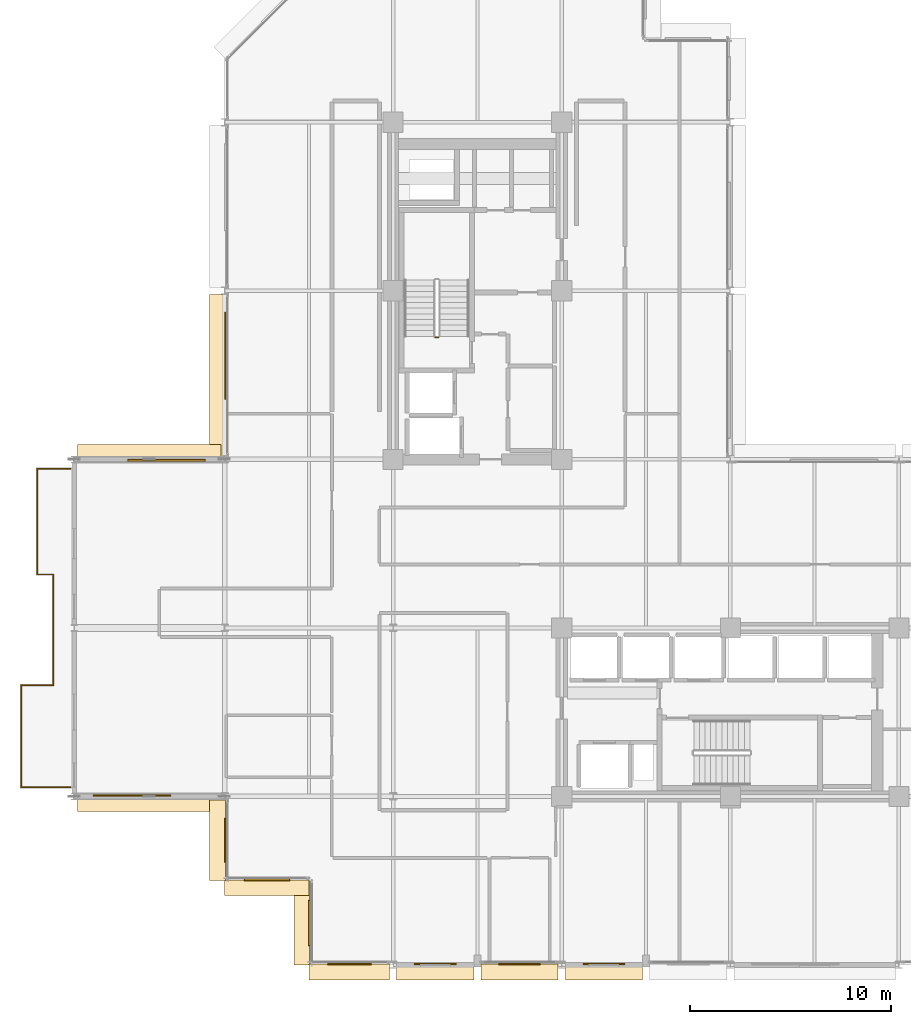
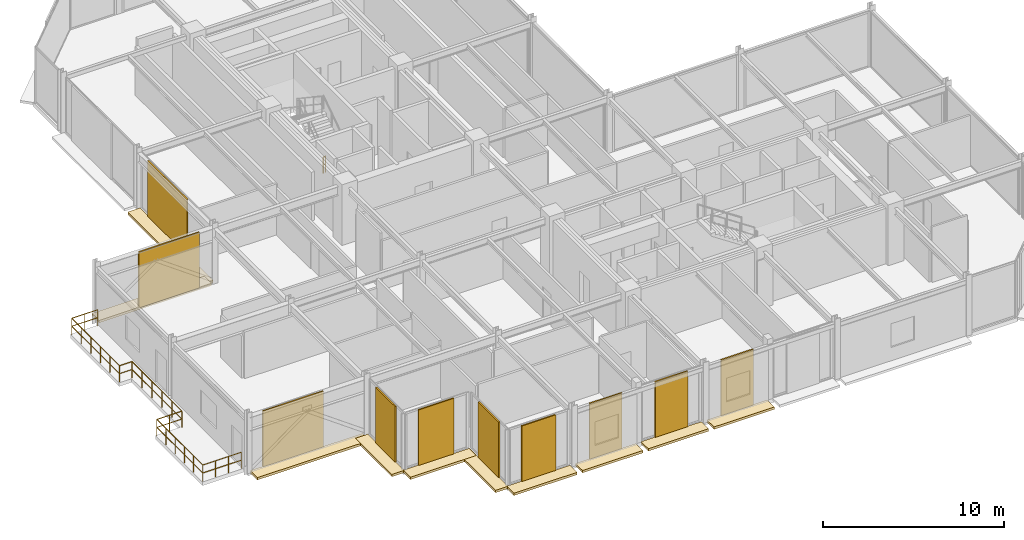
# One storey, part 28 of 30: 20 coverings, 8 railings.
"""IFC4 building model written with IfcOpenShell, lengths in metres."""

from ifc_helpers import new_model, si_unit, direction, frame, origin, origin_2d, place, context, subcontext, project, spatial, polyline, rectangle, circle, outline, extrude, material, layer, layer_set, type_object, element, save


model = new_model("IFC4")

# Units and contexts
model_context = context("Model", 3, precision=1e-05, world=origin(), true_north=direction((0.0, 1.0)))
body_context = subcontext(model_context, "Body", "Model", "MODEL_VIEW")
ifc_project = project(units=[si_unit("LENGTHUNIT", "METRE"), si_unit("AREAUNIT", "SQUARE_METRE"), si_unit("VOLUMEUNIT", "CUBIC_METRE"), si_unit("PLANEANGLEUNIT", "RADIAN"), si_unit("MASSUNIT", "GRAM", prefix="KILO")], contexts=[model_context])

# Site, building, storey
site_placement = place(None, origin())
site = spatial("IfcSite", under=ifc_project, at=site_placement, CompositionType="ELEMENT")
building_placement = place(site_placement, origin())
building = spatial("IfcBuilding", under=site, at=building_placement, Name="Nerrivon Quay Data Exchange", CompositionType="ELEMENT")
storey_placement = place(building_placement, frame((0.0, 0.0, 216.5)))
storey = spatial("IfcBuildingStorey", under=building, at=storey_placement, Name="L51", CompositionType="ELEMENT", Elevation=216.5)

# Coverings
ifc_material_1 = material(Name="Architectural terracotta ceramic", Category="masonry")
ifc_layer_1 = layer(ifc_material_1, 0.159912109375)
ifc_layer_set_1 = layer_set([ifc_layer_1], Name="Architectural terracotta ceramic")
covering_type_1 = type_object("IfcCoveringType", Name="COV-BLD-TERR", PredefinedType="CLADDING", material=ifc_layer_set_1)
covering_1_placement = place(storey_placement, frame((0.0, 0.0, -0.159912109375)))
element("IfcCovering", 1, at=covering_1_placement, inside=storey, type_object=covering_type_1, Name="L51 Horizontal Terracotta SOLAR SCREEN Blade", PredefinedType="CLADDING", context=body_context, shape_type="SweptSolid", body=[
    extrude(outline(polyline([(-7.344482421875, 25.159912109375), (-0.175048828125, 25.159912109375), (-0.175048828125, 25.949951171875), (-7.344482421875, 25.949951171875), (-7.344482421875, 25.159912109375)])), origin(), (0.0, 0.0, 1.0), 0.159912109375),
])
covering_2_placement = place(storey_placement, frame((0.0, 0.0, -0.159912109375)))
element("IfcCovering", 2, at=covering_2_placement, inside=storey, type_object=covering_type_1, Name="L51 Horizontal Terracotta SOLAR SCREEN Blade", PredefinedType="CLADDING", context=body_context, shape_type="SweptSolid", body=[
    extrude(outline(polyline([(0.0400390625, 25.375), (0.0400390625, 33.425048828125), (-0.75, 33.425048828125), (-0.75, 25.375), (0.0400390625, 25.375)])), origin(), (0.0, 0.0, 1.0), 0.159912109375),
])
covering_3_placement = place(storey_placement, frame((0.0, 0.0, -0.159912109375)))
element("IfcCovering", 3, at=covering_3_placement, inside=storey, type_object=covering_type_1, Name="L51 Horizontal Terracotta SOLAR SCREEN Blade", PredefinedType="CLADDING", context=body_context, shape_type="SweptSolid", body=[
    extrude(outline(polyline([(20.824951171875, 0.0400390625), (16.97509765625, 0.0400390625), (16.97509765625, -0.75), (20.824951171875, -0.75), (20.824951171875, 0.0400390625)])), origin(), (0.0, 0.0, 1.0), 0.159912109375),
])
covering_4_placement = place(storey_placement, frame((0.0, 0.0, -0.159912109375)))
element("IfcCovering", 4, at=covering_4_placement, inside=storey, type_object=covering_type_1, Name="L51 Horizontal Terracotta SOLAR SCREEN Blade", PredefinedType="CLADDING", context=body_context, shape_type="SweptSolid", body=[
    extrude(outline(polyline([(16.625, 0.0400390625), (12.77490234375, 0.0400390625), (12.77490234375, -0.75), (16.625, -0.75), (16.625, 0.0400390625)])), origin(), (0.0, 0.0, 1.0), 0.159912109375),
])
covering_5_placement = place(storey_placement, frame((0.0, 0.0, -0.159912109375)))
element("IfcCovering", 5, at=covering_5_placement, inside=storey, type_object=covering_type_1, Name="L51 Horizontal Terracotta SOLAR SCREEN Blade", PredefinedType="CLADDING", context=body_context, shape_type="SweptSolid", body=[
    extrude(outline(polyline([(12.425048828125, 0.0400390625), (8.574951171875, 0.0400390625), (8.574951171875, -0.75), (12.425048828125, -0.75), (12.425048828125, 0.0400390625)])), origin(), (0.0, 0.0, 1.0), 0.159912109375),
])
covering_6_placement = place(storey_placement, frame((0.0, 0.0, -0.159912109375)))
element("IfcCovering", 6, at=covering_6_placement, inside=storey, type_object=covering_type_1, Name="L51 Horizontal Terracotta SOLAR SCREEN Blade", PredefinedType="CLADDING", context=body_context, shape_type="SweptSolid", body=[
    extrude(outline(polyline([(8.22509765625, 0.0400390625), (4.199951171875, 0.0400390625), (4.199951171875, -0.75), (8.22509765625, -0.75), (8.22509765625, 0.0400390625)])), origin(), (0.0, 0.0, 1.0), 0.159912109375),
])
covering_7_placement = place(storey_placement, frame((0.0, 0.0, -0.159912109375)))
element("IfcCovering", 7, at=covering_7_placement, inside=storey, type_object=covering_type_1, Name="L51 Horizontal Terracotta SOLAR SCREEN Blade", PredefinedType="CLADDING", context=body_context, shape_type="SweptSolid", body=[
    extrude(outline(polyline([(4.239990234375, 0.0), (4.239990234375, 4.199951171875), (3.449951171875, 4.199951171875), (3.449951171875, 0.0), (4.239990234375, 0.0)])), origin(), (0.0, 0.0, 1.0), 0.159912109375),
])
covering_8_placement = place(storey_placement, frame((0.0, 0.0, -0.159912109375)))
element("IfcCovering", 8, at=covering_8_placement, inside=storey, type_object=covering_type_1, Name="L51 Horizontal Terracotta SOLAR SCREEN Blade", PredefinedType="CLADDING", context=body_context, shape_type="SweptSolid", body=[
    extrude(outline(polyline([(4.199951171875, 4.239990234375), (0.0, 4.239990234375), (0.0, 3.449951171875), (4.199951171875, 3.449951171875), (4.199951171875, 4.239990234375)])), origin(), (0.0, 0.0, 1.0), 0.159912109375),
])
covering_9_placement = place(storey_placement, frame((0.0, 0.0, -0.159912109375)))
element("IfcCovering", 9, at=covering_9_placement, inside=storey, type_object=covering_type_1, Name="L51 Horizontal Terracotta SOLAR SCREEN Blade", PredefinedType="CLADDING", context=body_context, shape_type="SweptSolid", body=[
    extrude(outline(polyline([(0.0400390625, 4.199951171875), (0.0400390625, 8.22509765625), (-0.75, 8.22509765625), (-0.75, 4.199951171875), (0.0400390625, 4.199951171875)])), origin(), (0.0, 0.0, 1.0), 0.159912109375),
])
covering_10_placement = place(storey_placement, frame((0.0, 0.0, -0.159912109375)))
element("IfcCovering", 10, at=covering_10_placement, inside=storey, type_object=covering_type_1, Name="L51 Horizontal Terracotta SOLAR SCREEN Blade", PredefinedType="CLADDING", context=body_context, shape_type="SweptSolid", body=[
    extrude(outline(polyline([(-0.175048828125, 8.43994140625), (-7.344482421875, 8.43994140625), (-7.344482421875, 7.64990234375), (-0.175048828125, 7.64990234375), (-0.175048828125, 8.43994140625)])), origin(), (0.0, 0.0, 1.0), 0.159912109375),
])
ifc_layer_2 = layer(ifc_material_1, 0.090087890625)
ifc_layer_set_2 = layer_set([ifc_layer_2], Name="Architectural terracotta ceramic")
covering_type_2 = type_object("IfcCoveringType", Name="COV-SCR-TERR", PredefinedType="CLADDING", material=ifc_layer_set_2)
covering_11_placement = place(storey_placement, frame((-2.8994140625, 25.155029296875, 0.0), z_axis=(0.0, 0.0, 1.0), x_axis=(1.0, 0.0, 0.0)))
element("IfcCovering", 11, at=covering_11_placement, inside=storey, type_object=covering_type_2, Name="L51 Perforated Terracotta SOLAR SCREEN Cassette", PredefinedType="CLADDING", context=body_context, shape_type="SweptSolid", body=[
    extrude(rectangle(XDim=3.8720703125, YDim=0.090087890625, at=origin_2d()), origin(), (0.0, 0.0, 1.0), 3.75),
])
covering_12_placement = place(storey_placement, frame((0.044921875, 30.365966796875, 0.0), z_axis=(0.0, 0.0, 1.0), x_axis=(0.0, 1.0, 0.0)))
element("IfcCovering", 12, at=covering_12_placement, inside=storey, type_object=covering_type_2, Name="L51 Perforated Terracotta SOLAR SCREEN Cassette", PredefinedType="CLADDING", context=body_context, shape_type="SweptSolid", body=[
    extrude(rectangle(XDim=4.346923828125, YDim=0.090087890625, at=origin_2d()), origin(), (0.0, 0.0, 1.0), 3.75),
])
for number, where, z_axis, x_axis, name in (
    (13, (18.89990234375, 0.044921875, 0.0), (0.0, 0.0, 1.0), (-1.0, 0.0, 0.0), "L51 Perforated Terracotta SOLAR SCREEN Cassette"),
    (14, (14.699951171875, 0.044921875, 0.0), (0.0, 0.0, 1.0), (-1.0, 0.0, 0.0), "L51 Perforated Terracotta SOLAR SCREEN Cassette"),
    (15, (10.5, 0.044921875, 0.0), (0.0, 0.0, 1.0), (-1.0, 0.0, 0.0), "L51 Perforated Terracotta SOLAR SCREEN Cassette"),
):
    element("IfcCovering", number, at=place(storey_placement, frame(where, z_axis=z_axis, x_axis=x_axis)), inside=storey, type_object=covering_type_2, Name=name, PredefinedType="CLADDING", context=body_context, shape_type="SweptSolid", body=[
        extrude(rectangle(XDim=2.0791015625, YDim=0.090087890625, at=origin_2d()), origin(), (0.0, 0.0, 1.0), 3.75),
    ])
covering_13_placement = place(storey_placement, frame((6.21240234375, 0.044921875, 0.0), z_axis=(0.0, 0.0, 1.0), x_axis=(-1.0, 0.0, 0.0)))
element("IfcCovering", 16, at=covering_13_placement, inside=storey, type_object=covering_type_2, Name="L51 Perforated Terracotta SOLAR SCREEN Cassette", PredefinedType="CLADDING", context=body_context, shape_type="SweptSolid", body=[
    extrude(rectangle(XDim=2.173095703125, YDim=0.090087890625, at=origin_2d()), origin(), (0.0, 0.0, 1.0), 3.75),
])
for number, where, z_axis, x_axis, name in (
    (17, (4.2451171875, 2.10009765625, 0.0), (0.0, 0.0, 1.0), (0.0, 1.0, 0.0), "L51 Perforated Terracotta SOLAR SCREEN Cassette"),
    (18, (2.10009765625, 4.2451171875, 0.0), (0.0, 0.0, 1.0), (-1.0, 0.0, 0.0), "L51 Perforated Terracotta SOLAR SCREEN Cassette"),
):
    element("IfcCovering", number, at=place(storey_placement, frame(where, z_axis=z_axis, x_axis=x_axis)), inside=storey, type_object=covering_type_2, Name=name, PredefinedType="CLADDING", context=body_context, shape_type="SweptSolid", body=[
        extrude(rectangle(XDim=2.26806640625, YDim=0.090087890625, at=origin_2d()), origin(), (0.0, 0.0, 1.0), 3.75),
    ])
covering_14_placement = place(storey_placement, frame((0.044921875, 6.21240234375, 0.0), z_axis=(0.0, 0.0, 1.0), x_axis=(0.0, 1.0, 0.0)))
element("IfcCovering", 19, at=covering_14_placement, inside=storey, type_object=covering_type_2, Name="L51 Perforated Terracotta SOLAR SCREEN Cassette", PredefinedType="CLADDING", context=body_context, shape_type="SweptSolid", body=[
    extrude(rectangle(XDim=2.173095703125, YDim=0.090087890625, at=origin_2d()), origin(), (0.0, 0.0, 1.0), 3.75),
])
covering_15_placement = place(storey_placement, frame((-4.6201171875, 8.445068359375, 0.0), z_axis=(0.0, 0.0, 1.0), x_axis=(-1.0, 0.0, 0.0)))
element("IfcCovering", 20, at=covering_15_placement, inside=storey, type_object=covering_type_2, Name="L51 Perforated Terracotta SOLAR SCREEN Cassette", PredefinedType="CLADDING", context=body_context, shape_type="SweptSolid", body=[
    extrude(rectangle(XDim=3.8720703125, YDim=0.090087890625, at=origin_2d()), origin(), (0.0, 0.0, 1.0), 3.75),
])

# Railings
ifc_material_2 = material(Name="Steel Grade C350L0 (350 MPa)", Category="steel")
railing_type_1 = type_object("IfcRailingType", Name="RAIL-GUARD-GR2", PredefinedType="BALUSTRADE", material=ifc_material_2)
railing_1_placement = place(storey_placement, frame((-7.679931640625, 8.860107421875, 0.0)))
element("IfcRailing", 21, at=railing_1_placement, inside=storey, type_object=railing_type_1, Name="L51 Verandah Balcony Guard 1.1 1", PredefinedType="BALUSTRADE", context=body_context, shape_type="SweptSolid", body=[
    extrude(circle(Radius=0.02392578125, at=origin_2d()), frame((0.0, 0.0, 1.09619140625), z_axis=(-1.0, 0.0, 0.0), x_axis=(0.0, -1.0, 0.0)), (0.0, 0.0, 1.0), 2.4599609375),
    extrude(circle(Radius=0.02392578125, at=origin_2d()), frame((0.0, 0.0, 0.56005859375), z_axis=(-1.0, 0.0, 0.0), x_axis=(0.0, -1.0, 0.0)), (0.0, 0.0, 1.0), 2.4599609375),
    extrude(circle(Radius=0.02099609375, at=origin_2d()), origin(), (0.0, 0.0, 1.0), 1.072021484375),
    extrude(circle(Radius=0.02099609375, at=origin_2d()), frame((-0.820068359375, 0.0, 0.0)), (0.0, 0.0, 1.0), 1.072021484375),
    extrude(circle(Radius=0.02099609375, at=origin_2d()), frame((-1.639892578125, 0.0, 0.0)), (0.0, 0.0, 1.0), 1.072021484375),
    extrude(circle(Radius=0.02099609375, at=origin_2d()), frame((-2.4599609375, 0.0, 0.0)), (0.0, 0.0, 1.0), 1.072021484375),
])
railing_2_placement = place(storey_placement, frame((-10.139892578125, 8.860107421875, 0.0)))
element("IfcRailing", 22, at=railing_2_placement, inside=storey, type_object=railing_type_1, Name="L51 Verandah Balcony Guard 1.2 1", PredefinedType="BALUSTRADE", context=body_context, shape_type="SweptSolid", body=[
    extrude(circle(Radius=0.02392578125, at=origin_2d()), frame((0.0, 0.0, 1.09619140625), z_axis=(0.0, 1.0, 0.0), x_axis=(-1.0, 0.0, 0.0)), (0.0, 0.0, 1.0), 5.079833984375),
    extrude(circle(Radius=0.02392578125, at=origin_2d()), frame((0.0, 0.0, 0.56005859375), z_axis=(0.0, 1.0, 0.0), x_axis=(-1.0, 0.0, 0.0)), (0.0, 0.0, 1.0), 5.079833984375),
    extrude(circle(Radius=0.02099609375, at=origin_2d()), origin(), (0.0, 0.0, 1.0), 1.072021484375),
    extrude(circle(Radius=0.02099609375, at=origin_2d()), frame((0.0, 1.015869140625, 0.0)), (0.0, 0.0, 1.0), 1.072021484375),
    extrude(circle(Radius=0.02099609375, at=origin_2d()), frame((0.0, 2.031982421875, 0.0)), (0.0, 0.0, 1.0), 1.072021484375),
    extrude(circle(Radius=0.02099609375, at=origin_2d()), frame((0.0, 3.0478515625, 0.0)), (0.0, 0.0, 1.0), 1.072021484375),
    extrude(circle(Radius=0.02099609375, at=origin_2d()), frame((0.0, 4.06396484375, 0.0)), (0.0, 0.0, 1.0), 1.072021484375),
    extrude(circle(Radius=0.02099609375, at=origin_2d()), frame((0.0, 5.079833984375, 0.0)), (0.0, 0.0, 1.0), 1.072021484375),
])
railing_3_placement = place(storey_placement, frame((-10.139892578125, 13.93994140625, 0.0)))
element("IfcRailing", 23, at=railing_3_placement, inside=storey, type_object=railing_type_1, Name="L51 Verandah Balcony Guard 1.3 1", PredefinedType="BALUSTRADE", context=body_context, shape_type="SweptSolid", body=[
    extrude(circle(Radius=0.02392578125, at=origin_2d()), frame((0.0, 0.0, 1.09619140625), z_axis=(1.0, 0.0, 0.0), x_axis=(0.0, 1.0, 0.0)), (0.0, 0.0, 1.0), 1.599853515625),
    extrude(circle(Radius=0.02392578125, at=origin_2d()), frame((0.0, 0.0, 0.56005859375), z_axis=(1.0, 0.0, 0.0), x_axis=(0.0, 1.0, 0.0)), (0.0, 0.0, 1.0), 1.599853515625),
    extrude(circle(Radius=0.02099609375, at=origin_2d()), origin(), (0.0, 0.0, 1.0), 1.072021484375),
    extrude(circle(Radius=0.02099609375, at=origin_2d()), frame((0.7998046875, 0.0, 0.0)), (0.0, 0.0, 1.0), 1.072021484375),
    extrude(circle(Radius=0.02099609375, at=origin_2d()), frame((1.599853515625, 0.0, 0.0)), (0.0, 0.0, 1.0), 1.072021484375),
])
railing_4_placement = place(storey_placement, frame((-8.5400390625, 13.93994140625, 0.0)))
element("IfcRailing", 24, at=railing_4_placement, inside=storey, type_object=railing_type_1, Name="L51 Verandah Balcony Guard 1.4 1", PredefinedType="BALUSTRADE", context=body_context, shape_type="SweptSolid", body=[
    extrude(circle(Radius=0.02392578125, at=origin_2d()), frame((0.0, 0.0, 1.09619140625), z_axis=(0.0, 1.0, 0.0), x_axis=(-1.0, 0.0, 0.0)), (0.0, 0.0, 1.0), 5.52001953125),
    extrude(circle(Radius=0.02392578125, at=origin_2d()), frame((0.0, 0.0, 0.56005859375), z_axis=(0.0, 1.0, 0.0), x_axis=(-1.0, 0.0, 0.0)), (0.0, 0.0, 1.0), 5.52001953125),
    extrude(circle(Radius=0.02099609375, at=origin_2d()), origin(), (0.0, 0.0, 1.0), 1.072021484375),
    extrude(circle(Radius=0.02099609375, at=origin_2d()), frame((0.0, 1.10400390625, 0.0)), (0.0, 0.0, 1.0), 1.072021484375),
    extrude(circle(Radius=0.02099609375, at=origin_2d()), frame((0.0, 2.2080078125, 0.0)), (0.0, 0.0, 1.0), 1.072021484375),
    extrude(circle(Radius=0.02099609375, at=origin_2d()), frame((0.0, 3.31201171875, 0.0)), (0.0, 0.0, 1.0), 1.072021484375),
    extrude(circle(Radius=0.02099609375, at=origin_2d()), frame((0.0, 4.416015625, 0.0)), (0.0, 0.0, 1.0), 1.072021484375),
    extrude(circle(Radius=0.02099609375, at=origin_2d()), frame((0.0, 5.52001953125, 0.0)), (0.0, 0.0, 1.0), 1.072021484375),
])
railing_5_placement = place(storey_placement, frame((-8.5400390625, 19.4599609375, 0.0)))
element("IfcRailing", 25, at=railing_5_placement, inside=storey, type_object=railing_type_1, Name="L51 Verandah Balcony Guard 1.5 1", PredefinedType="BALUSTRADE", context=body_context, shape_type="SweptSolid", body=[
    extrude(circle(Radius=0.02392578125, at=origin_2d()), frame((0.0, 0.0, 1.09619140625), z_axis=(-1.0, 0.0, 0.0), x_axis=(0.0, -1.0, 0.0)), (0.0, 0.0, 1.0), 0.800048828125),
    extrude(circle(Radius=0.02392578125, at=origin_2d()), frame((0.0, 0.0, 0.56005859375), z_axis=(-1.0, 0.0, 0.0), x_axis=(0.0, -1.0, 0.0)), (0.0, 0.0, 1.0), 0.800048828125),
    extrude(circle(Radius=0.02099609375, at=origin_2d()), origin(), (0.0, 0.0, 1.0), 1.072021484375),
    extrude(circle(Radius=0.02099609375, at=origin_2d()), frame((-0.800048828125, 0.0, 0.0)), (0.0, 0.0, 1.0), 1.072021484375),
])
railing_6_placement = place(storey_placement, frame((-9.340087890625, 19.4599609375, 0.0)))
element("IfcRailing", 26, at=railing_6_placement, inside=storey, type_object=railing_type_1, Name="L51 Verandah Balcony Guard 1.6 1", PredefinedType="BALUSTRADE", context=body_context, shape_type="SweptSolid", body=[
    extrude(circle(Radius=0.02392578125, at=origin_2d()), frame((0.0, 0.0, 1.09619140625), z_axis=(0.0, 1.0, 0.0), x_axis=(-1.0, 0.0, 0.0)), (0.0, 0.0, 1.0), 5.280029296875),
    extrude(circle(Radius=0.02392578125, at=origin_2d()), frame((0.0, 0.0, 0.56005859375), z_axis=(0.0, 1.0, 0.0), x_axis=(-1.0, 0.0, 0.0)), (0.0, 0.0, 1.0), 5.280029296875),
    extrude(circle(Radius=0.02099609375, at=origin_2d()), origin(), (0.0, 0.0, 1.0), 1.072021484375),
    extrude(circle(Radius=0.02099609375, at=origin_2d()), frame((0.0, 1.055908203125, 0.0)), (0.0, 0.0, 1.0), 1.072021484375),
    extrude(circle(Radius=0.02099609375, at=origin_2d()), frame((0.0, 2.112060546875, 0.0)), (0.0, 0.0, 1.0), 1.072021484375),
    extrude(circle(Radius=0.02099609375, at=origin_2d()), frame((0.0, 3.16796875, 0.0)), (0.0, 0.0, 1.0), 1.072021484375),
    extrude(circle(Radius=0.02099609375, at=origin_2d()), frame((0.0, 4.22412109375, 0.0)), (0.0, 0.0, 1.0), 1.072021484375),
    extrude(circle(Radius=0.02099609375, at=origin_2d()), frame((0.0, 5.280029296875, 0.0)), (0.0, 0.0, 1.0), 1.072021484375),
])
railing_7_placement = place(storey_placement, frame((-9.340087890625, 24.739990234375, 0.0)))
element("IfcRailing", 27, at=railing_7_placement, inside=storey, type_object=railing_type_1, Name="L51 Verandah Balcony Guard 1.7 1", PredefinedType="BALUSTRADE", context=body_context, shape_type="SweptSolid", body=[
    extrude(circle(Radius=0.02392578125, at=origin_2d()), frame((0.0, 0.0, 1.09619140625), z_axis=(1.0, 0.0, 0.0), x_axis=(0.0, 1.0, 0.0)), (0.0, 0.0, 1.0), 1.66015625),
    extrude(circle(Radius=0.02392578125, at=origin_2d()), frame((0.0, 0.0, 0.56005859375), z_axis=(1.0, 0.0, 0.0), x_axis=(0.0, 1.0, 0.0)), (0.0, 0.0, 1.0), 1.66015625),
    extrude(circle(Radius=0.02099609375, at=origin_2d()), origin(), (0.0, 0.0, 1.0), 1.072021484375),
    extrude(circle(Radius=0.02099609375, at=origin_2d()), frame((0.830078125, 0.0, 0.0)), (0.0, 0.0, 1.0), 1.072021484375),
    extrude(circle(Radius=0.02099609375, at=origin_2d()), frame((1.66015625, 0.0, 0.0)), (0.0, 0.0, 1.0), 1.072021484375),
])
railing_type_2 = type_object("IfcRailingType", Name="RAIL-STAIR-GR1", PredefinedType="BALUSTRADE", material=ifc_material_2)
railing_8_placement = place(storey_placement, frame((10.64990234375, 31.280029296875, 0.0)))
element("IfcRailing", 28, at=railing_8_placement, inside=storey, type_object=railing_type_2, Name="L51 ST01 stair guard 4", PredefinedType="BALUSTRADE", context=body_context, shape_type="SweptSolid", body=[
    extrude(circle(Radius=0.02392578125, at=origin_2d()), frame((0.0, 0.0, 1.076171875), z_axis=(-1.0, 0.0, 0.0), x_axis=(0.0, -1.0, 0.0)), (0.0, 0.0, 1.0), 0.14990234375),
    extrude(circle(Radius=0.02392578125, at=origin_2d()), frame((0.0, 0.0, 0.550048828125), z_axis=(-1.0, 0.0, 0.0), x_axis=(0.0, -1.0, 0.0)), (0.0, 0.0, 1.0), 0.14990234375),
    extrude(circle(Radius=0.02099609375, at=origin_2d()), origin(), (0.0, 0.0, 1.0), 1.052001953125),
    extrude(circle(Radius=0.02099609375, at=origin_2d()), frame((-0.14990234375, 0.0, 0.0)), (0.0, 0.0, 1.0), 1.052001953125),
])

save(model, "model.ifc")
